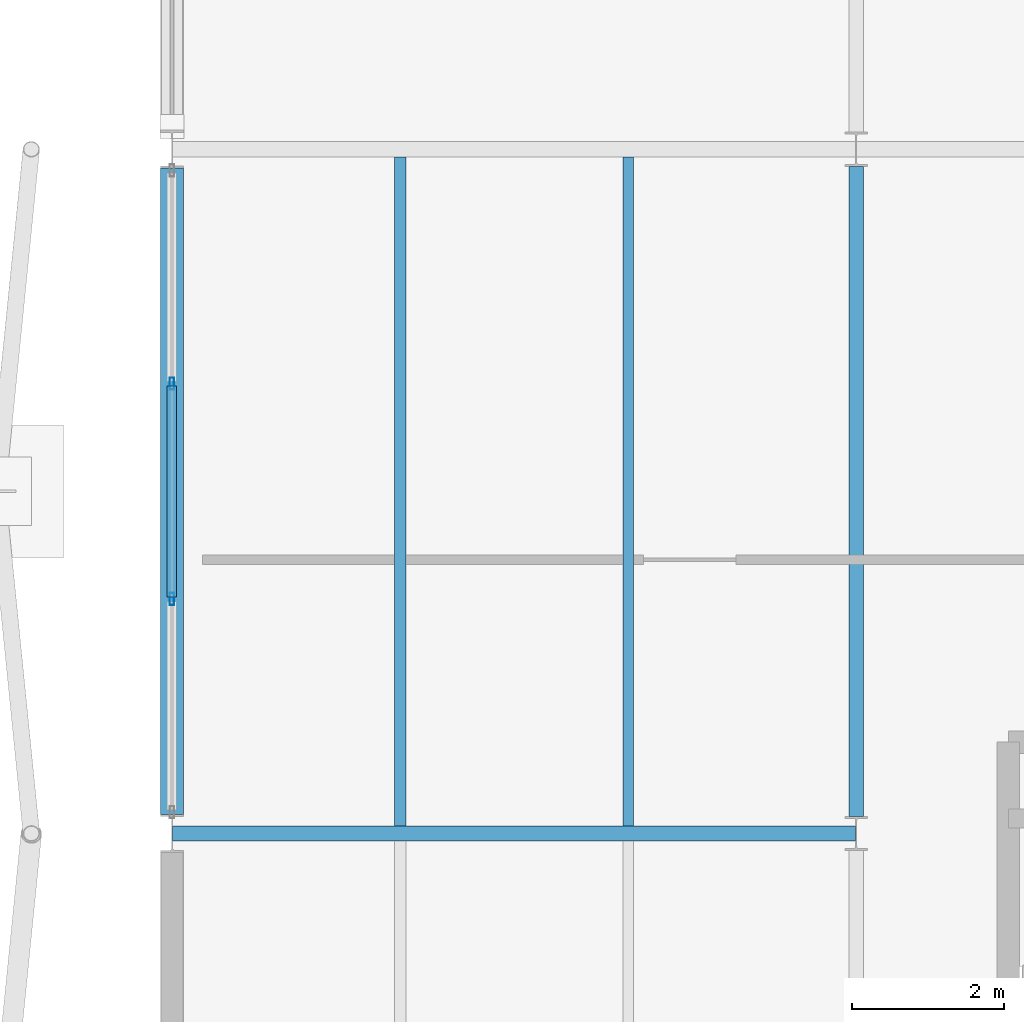
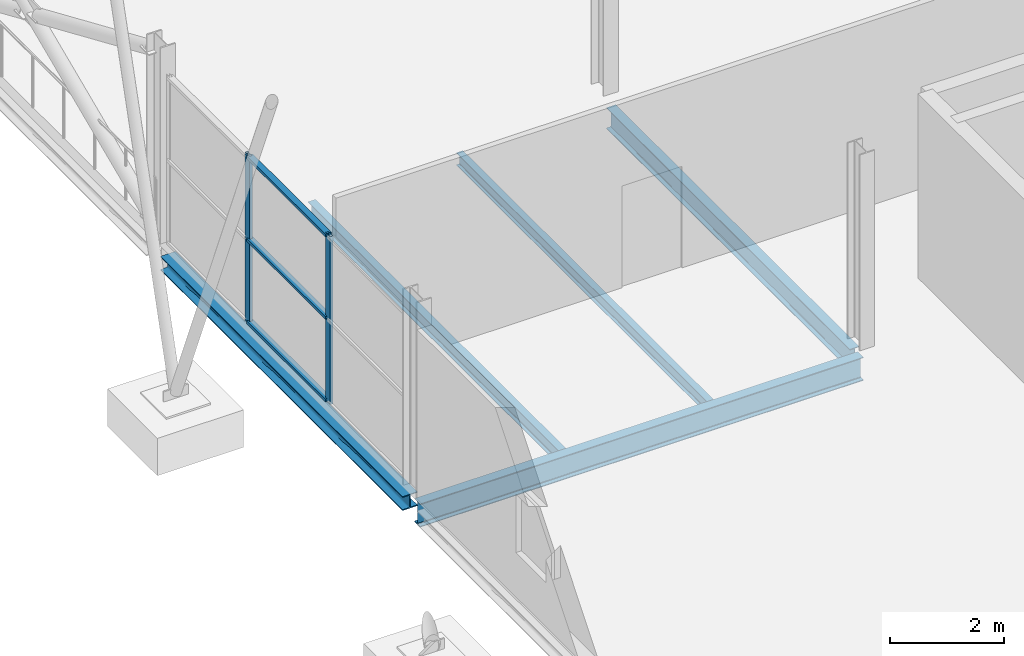
# One storey, part 68 of 140: 5 beams, 5 members, 1 element without a shape of its own.
"""IFC4 building model written with IfcOpenShell, lengths in metres."""

import ifcopenshell
import ifcopenshell.guid

model = None  # the IFC model being written
_history = None  # IfcOwnerHistory: only IFC2X3 demands one
_inside = {}  # id of a spatial element -> (the spatial element, [elements in it])
_under = {}  # id of a project, library or spatial element -> (it, [spatial elements below it])
_declared = {}  # id of a project -> (the project, [libraries it declares])
_typed = {}  # id of a type object -> (the type object, [elements of that type])
_made_of = {}  # id of a material, layer set ... -> (it, [elements and type objects made of it])


def new_model(schema):
    """Start an empty IFC model of exactly this schema.

    Asked for "IFC4X3", IfcOpenShell would pick the latest addendum, in which some entities
    have other attributes; the version numbers below select the first issue.
    IFC2X3 requires an IfcOwnerHistory on every rooted entity: one is made here for all.
    """
    global model, _history
    if schema == "IFC4X3":
        model = ifcopenshell.file(schema_version=(4, 3, 0, 0))
    else:
        model = ifcopenshell.file(schema=schema)
    _inside.clear()
    _under.clear()
    _declared.clear()
    _typed.clear()
    _made_of.clear()
    _history = None
    if model.schema == "IFC2X3":
        org = make("IfcOrganization", Name="unknown")
        user = make(
            "IfcPersonAndOrganization",
            ThePerson=make("IfcPerson", FamilyName="unknown"),
            TheOrganization=org,
        )
        app = make(
            "IfcApplication",
            ApplicationDeveloper=org,
            Version="unknown",
            ApplicationFullName="unknown",
            ApplicationIdentifier="unknown",
        )
        _history = make(
            "IfcOwnerHistory",
            OwningUser=user,
            OwningApplication=app,
            ChangeAction="ADDED",
            CreationDate=0,
        )
    return model


def make(cls, **values):
    """One entity of the class cls with the attributes given. An attribute that is None is left unset."""
    return model.create_entity(
        cls, **{name: value for name, value in values.items() if value is not None}
    )


def rooted(cls, **values):
    """An entity with a GlobalId (a new one), such as an element, a storey or a relation."""
    return make(cls, GlobalId=ifcopenshell.guid.new(), OwnerHistory=_history, **values)


def si_unit(unit_type, name, prefix=None):
    """IfcSIUnit, for example si_unit("LENGTHUNIT", "METRE", prefix="MILLI")."""
    return make("IfcSIUnit", UnitType=unit_type, Prefix=prefix, Name=name)


def assignment(units):
    """IfcUnitAssignment: the units of a project."""
    return None if units is None else make("IfcUnitAssignment", Units=units)


def point(xyz):
    """IfcCartesianPoint."""
    return None if xyz is None else make("IfcCartesianPoint", Coordinates=xyz)


def direction(xyz):
    """IfcDirection."""
    return None if xyz is None else make("IfcDirection", DirectionRatios=xyz)


def frame(location, z_axis=None, x_axis=None):
    """IfcAxis2Placement3D, a coordinate frame: its origin and axes. An axis left out is left unset."""
    return make(
        "IfcAxis2Placement3D",
        Location=point(location),
        Axis=direction(z_axis),
        RefDirection=direction(x_axis),
    )


def frame_2d(location, x_axis=None):
    """IfcAxis2Placement2D, a coordinate frame in the plane: its origin and x axis."""
    return make(
        "IfcAxis2Placement2D", Location=point(location), RefDirection=direction(x_axis)
    )


def origin():
    """The frame at (0, 0, 0) with its axes left unset."""
    return frame((0.0, 0.0, 0.0))


def origin_2d():
    """The frame at (0, 0) in the plane with its x axis left unset."""
    return frame_2d((0.0, 0.0))


def place(relative_to, where):
    """IfcLocalPlacement: puts the frame where relative to a parent placement (None: the world)."""
    return make(
        "IfcLocalPlacement", PlacementRelTo=relative_to, RelativePlacement=where
    )


def context(
    kind, dimensions, precision=None, world=None, true_north=None, identifier=None
):
    """IfcGeometricRepresentationContext, for example the 3D "Model" context."""
    return make(
        "IfcGeometricRepresentationContext",
        ContextIdentifier=identifier,
        ContextType=kind,
        CoordinateSpaceDimension=dimensions,
        Precision=precision,
        WorldCoordinateSystem=world,
        TrueNorth=true_north,
    )


def subcontext(parent, identifier, kind, view, scale=None):
    """IfcGeometricRepresentationSubContext, for example "Body" below "Model"."""
    return make(
        "IfcGeometricRepresentationSubContext",
        ContextIdentifier=identifier,
        ContextType=kind,
        ParentContext=parent,
        TargetScale=scale,
        TargetView=view,
    )


def project(units=None, contexts=None):
    """IfcProject with its units and contexts."""
    return rooted(
        "IfcProject",
        Name="project",
        RepresentationContexts=contexts,
        UnitsInContext=assignment(units),
    )


def spatial(cls, under=None, at=None, **own):
    """A site, building, storey or space (cls), placed at a placement, below another one or the project."""
    s = rooted(cls, ObjectPlacement=at, **own)
    if under is not None:
        _under.setdefault(under.id(), (under, []))[1].append(s)
    return s


def profile(cls, at=None, kind="AREA", **sizes):
    """A parametric profile (cls). Its sizes go by their IFC names, for example OverallWidth=200.0."""
    return make(cls, ProfileType=kind, Position=at, **sizes)


def hollow_rectangle(**sizes):
    """IfcRectangleHollowProfileDef."""
    return profile("IfcRectangleHollowProfileDef", **sizes)


def i_section(**sizes):
    """IfcIShapeProfileDef."""
    return profile("IfcIShapeProfileDef", **sizes)


def extrude(swept, where, along, depth):
    """IfcExtrudedAreaSolid: the profile swept, set in the frame where, extruded along a direction by depth."""
    return make(
        "IfcExtrudedAreaSolid",
        SweptArea=swept,
        Position=where,
        ExtrudedDirection=direction(along),
        Depth=depth,
    )


def shape(context_of_items, identifier, shape_type, items):
    """IfcShapeRepresentation: the items that make up one representation, for example the "Body"."""
    return make(
        "IfcShapeRepresentation",
        ContextOfItems=context_of_items,
        RepresentationIdentifier=identifier,
        RepresentationType=shape_type,
        Items=items,
    )


def material(Name=None, Category=None):
    """IfcMaterial."""
    return make("IfcMaterial", Name=Name, Category=Category)


def layer(
    of_material, thickness, ventilated=None, Name=None, Category=None, Priority=None
):
    """IfcMaterialLayer: one layer of a wall or slab, of a material (None: an air gap)."""
    return make(
        "IfcMaterialLayer",
        Material=of_material,
        LayerThickness=thickness,
        IsVentilated=ventilated,
        Name=Name,
        Category=Category,
        Priority=Priority,
    )


def layer_set(layers, Name=None):
    """IfcMaterialLayerSet."""
    return make("IfcMaterialLayerSet", MaterialLayers=layers, LayerSetName=Name)


def material_profile(
    of_material, cross_section, Name=None, Category=None, Priority=None
):
    """IfcMaterialProfile: a cross section and its material."""
    return make(
        "IfcMaterialProfile",
        Name=Name,
        Material=of_material,
        Profile=cross_section,
        Priority=Priority,
        Category=Category,
    )


def profile_set(profiles, Name=None, composite=None):
    """IfcMaterialProfileSet."""
    return make(
        "IfcMaterialProfileSet",
        Name=Name,
        MaterialProfiles=profiles,
        CompositeProfile=composite,
    )


def made_of(thing, what):
    """Note that an element or type object is made of a material, layer set ...; save() writes the relation."""
    if what is not None:
        _made_of.setdefault(what.id(), (what, []))[1].append(thing)
    return thing


def type_object(cls, material=None, **own):
    """A type object (cls), such as IfcWallType, which elements share."""
    return made_of(rooted(cls, **own), material)


def element(
    cls,
    number,
    at=None,
    inside=None,
    cuts=None,
    type_object=None,
    material=None,
    context=None,
    identifier="Body",
    shape_type=None,
    held_by="IfcProductDefinitionShape",
    body=None,
    shapes=None,
    **own,
):
    """One element of the class cls, such as IfcWall. Its Tag is "e" and its number.

    at: its placement. inside: the storey or other place that contains it. cuts: it is an
    opening in that element (IfcRelVoidsElement). A single representation is given by context,
    identifier, shape_type and body (its items); several are given by shapes. held_by: the class
    of the entity that holds the representations. save() writes the other relations.
    """
    e = rooted(cls, Tag="e%d" % number, ObjectPlacement=at, **own)
    if body is not None:
        shapes = [shape(context, identifier, shape_type, body)]
    if shapes is not None:
        e.Representation = make(held_by, Representations=shapes)
    if inside is not None:
        _inside.setdefault(inside.id(), (inside, []))[1].append(e)
    if cuts is not None:
        rooted(
            "IfcRelVoidsElement", RelatingBuildingElement=cuts, RelatedOpeningElement=e
        )
    if type_object is not None:
        _typed.setdefault(type_object.id(), (type_object, []))[1].append(e)
    return made_of(e, material)


def aggregate(whole, parts):
    """IfcRelAggregates: a whole, such as a stair, and the parts it consists of."""
    return rooted("IfcRelAggregates", RelatingObject=whole, RelatedObjects=parts)


def save(model, path):
    """Write the relations noted so far, then the file.

    IfcRelAggregates (storeys below a building ...), IfcRelContainedInSpatialStructure (elements
    in a storey), IfcRelDefinesByType, IfcRelAssociatesMaterial and IfcRelDeclares: one each for
    every whole, place, type object, material and project.
    """
    for whole, parts in _under.values():
        aggregate(whole, parts)
    for where, things in _inside.values():
        rooted(
            "IfcRelContainedInSpatialStructure",
            RelatedElements=things,
            RelatingStructure=where,
        )
    for kind, things in _typed.values():
        rooted("IfcRelDefinesByType", RelatedObjects=things, RelatingType=kind)
    for what, things in _made_of.values():
        rooted("IfcRelAssociatesMaterial", RelatedObjects=things, RelatingMaterial=what)
    for by, libraries in _declared.values():
        rooted("IfcRelDeclares", RelatingContext=by, RelatedDefinitions=libraries)
    model.write(path)


model = new_model("IFC4")

# Units and contexts
model_context = context("Model", 3, precision=1e-05, world=origin(), true_north=direction((0.0, 1.0)))
body_context = subcontext(model_context, "Body", "Model", "MODEL_VIEW")
ifc_project = project(units=[si_unit("LENGTHUNIT", "METRE"), si_unit("AREAUNIT", "SQUARE_METRE"), si_unit("VOLUMEUNIT", "CUBIC_METRE"), si_unit("PLANEANGLEUNIT", "RADIAN"), si_unit("MASSUNIT", "GRAM", prefix="KILO")], contexts=[model_context])

# Site, building, storey
site_placement = place(None, origin())
site = spatial("IfcSite", under=ifc_project, at=site_placement, CompositionType="ELEMENT")
building_placement = place(site_placement, origin())
building = spatial("IfcBuilding", under=site, at=building_placement, Name="Deido Ridge Mobility Hub", CompositionType="ELEMENT")
storey_placement = place(building_placement, origin())
storey = spatial("IfcBuildingStorey", under=building, at=storey_placement, Name="L00", CompositionType="ELEMENT", Elevation=0.0)

# Beams
ifc_material_1 = material(Name="Steel S355J2 EN 10025-2", Category="steel")
ifc_material_profile_1 = material_profile(ifc_material_1, i_section(OverallWidth=0.18994140625, OverallDepth=0.449951171875, WebThickness=0.009521484375, FlangeThickness=0.0146484375, FilletRadius=0.02099609375, at=origin_2d()), Name="IPE 450")
ifc_profile_set_1 = profile_set([ifc_material_profile_1], Name="Steel S355J2 EN 10025-2")
beam_type_1 = type_object("IfcBeamType", Name="BM-IPE450", PredefinedType="BEAM", material=ifc_profile_set_1)
beam_1_placement = place(storey_placement, frame((9.0, 63.22509765625, -0.485107421875), z_axis=(0.0, 1.0, 0.0), x_axis=(-1.0, 0.0, 0.0)))
element("IfcBeam", 1, at=beam_1_placement, inside=storey, type_object=beam_type_1, Name="Floor beam B4", PredefinedType="BEAM", context=body_context, shape_type="SweptSolid", body=[
    extrude(i_section(OverallWidth=0.18994140625, OverallDepth=0.449951171875, WebThickness=0.009521484375, FlangeThickness=0.0146484375, FilletRadius=0.02099609375, at=origin_2d()), origin(), (0.0, 0.0, 1.0), 8.5498046875),
])
ifc_material_profile_2 = material_profile(ifc_material_1, i_section(OverallWidth=0.199951171875, OverallDepth=0.5, WebThickness=0.01025390625, FlangeThickness=0.01611328125, FilletRadius=0.02099609375, at=origin_2d()), Name="IPE 500")
ifc_profile_set_2 = profile_set([ifc_material_profile_2], Name="Steel S355J2 EN 10025-2")
beam_type_2 = type_object("IfcBeamType", Name="BM-IPE500", PredefinedType="BEAM", material=ifc_profile_set_2)
beam_2_placement = place(storey_placement, frame((0.00732421875, 63.0, -0.510009765625), z_axis=(1.0, 0.0, 0.0), x_axis=(0.0, 1.0, 0.0)))
element("IfcBeam", 2, at=beam_2_placement, inside=storey, type_object=beam_type_2, Name="Floor beam B3", PredefinedType="BEAM", context=body_context, shape_type="SweptSolid", body=[
    extrude(i_section(OverallWidth=0.199951171875, OverallDepth=0.5, WebThickness=0.01025390625, FlangeThickness=0.01611328125, FilletRadius=0.02099609375, at=origin_2d()), origin(), (0.0, 0.0, 1.0), 8.985595703125),
])
ifc_material_profile_3 = material_profile(ifc_material_1, i_section(OverallWidth=0.135009765625, OverallDepth=0.27001953125, WebThickness=0.006591796875, FlangeThickness=0.01025390625, FilletRadius=0.014892578125, at=origin_2d()), Name="IPE 270")
ifc_profile_set_3 = profile_set([ifc_material_profile_3], Name="Steel S355J2 EN 10025-2")
beam_type_3 = type_object("IfcBeamType", Name="JST-IPE270", PredefinedType="JOIST", material=ifc_profile_set_3)
beam_3_placement = place(storey_placement, frame((6.0, 63.10009765625, -0.39501953125), z_axis=(0.0, 1.0, 0.0), x_axis=(-1.0, 0.0, 0.0)))
element("IfcBeam", 3, at=beam_3_placement, inside=storey, type_object=beam_type_3, Name="Composite joist J4", PredefinedType="JOIST", context=body_context, shape_type="SweptSolid", body=[
    extrude(i_section(OverallWidth=0.135009765625, OverallDepth=0.27001953125, WebThickness=0.006591796875, FlangeThickness=0.01025390625, FilletRadius=0.014892578125, at=origin_2d()), origin(), (0.0, 0.0, 1.0), 8.7998046875),
])
ifc_material_profile_4 = material_profile(ifc_material_1, i_section(OverallWidth=0.14990234375, OverallDepth=0.300048828125, WebThickness=0.007080078125, FlangeThickness=0.0107421875, FilletRadius=0.014892578125, at=origin_2d()), Name="IPE 300")
ifc_profile_set_4 = profile_set([ifc_material_profile_4], Name="Steel S355J2 EN 10025-2")
beam_type_4 = type_object("IfcBeamType", Name="JST-IPE300", PredefinedType="JOIST", material=ifc_profile_set_4)
beam_4_placement = place(storey_placement, frame((3.0, 63.10009765625, -0.409912109375), z_axis=(0.0, 1.0, 0.0), x_axis=(-1.0, 0.0, 0.0)))
element("IfcBeam", 4, at=beam_4_placement, inside=storey, type_object=beam_type_4, Name="Composite joist J3", PredefinedType="JOIST", context=body_context, shape_type="SweptSolid", body=[
    extrude(i_section(OverallWidth=0.14990234375, OverallDepth=0.300048828125, WebThickness=0.007080078125, FlangeThickness=0.0107421875, FilletRadius=0.014892578125, at=origin_2d()), origin(), (0.0, 0.0, 1.0), 8.7998046875),
])

# Curtain wall, members
ifc_material_2 = material(Name="Anodised aluminium EN AW-6063 T6", Category="aluminium")
ifc_layer = layer(ifc_material_2, 0.195068359375, Name="Anodised aluminium EN AW-6063 T6")
ifc_layer_set = layer_set([ifc_layer], Name="Anodised aluminium EN AW-6063 T6")
curtain_wall_type = type_object("IfcCurtainWallType", Name="CW-UF-3", PredefinedType="USERDEFINED", material=ifc_layer_set)
curtain_wall_placement = place(storey_placement, origin())
curtain_wall = element("IfcCurtainWall", 5, at=curtain_wall_placement, inside=storey, type_object=curtain_wall_type, Name="Unitised curtain wall CW3", ObjectType="UNITISED FACADE", PredefinedType="USERDEFINED")
ifc_material_profile_5 = material_profile(ifc_material_2, hollow_rectangle(XDim=0.06005859375, YDim=0.159912109375, WallThickness=0.00390625, at=origin_2d()), Name="RHS 60x160x4")
ifc_profile_set_5 = profile_set([ifc_material_profile_5], Name="Anodised aluminium EN AW-6063 T6")
member_type_1 = type_object("IfcMemberType", Name="MEM-MUL-60X160", PredefinedType="MULLION", material=ifc_profile_set_5)
member_1_placement = place(storey_placement, frame((0.0, 66.083251953125, 0.0), z_axis=(0.0, 0.0, 1.0), x_axis=(-1.0, 0.0, 0.0)))
member_1 = element("IfcMember", 6, at=member_1_placement, type_object=member_type_1, Name="CW3 mullion 2", PredefinedType="MULLION", context=body_context, shape_type="SweptSolid", body=[
    extrude(hollow_rectangle(XDim=0.06005859375, YDim=0.159912109375, WallThickness=0.00390625, at=origin_2d()), origin(), (0.0, 0.0, 1.0), 3.60009765625),
])
member_2_placement = place(storey_placement, frame((0.0, 68.916748046875, 0.0), z_axis=(0.0, 0.0, 1.0), x_axis=(-1.0, 0.0, 0.0)))
member_2 = element("IfcMember", 7, at=member_2_placement, type_object=member_type_1, Name="CW3 mullion 3", PredefinedType="MULLION", context=body_context, shape_type="SweptSolid", body=[
    extrude(hollow_rectangle(XDim=0.06005859375, YDim=0.159912109375, WallThickness=0.00390625, at=origin_2d()), origin(), (0.0, 0.0, 1.0), 3.60009765625),
])
ifc_material_profile_6 = material_profile(ifc_material_2, hollow_rectangle(XDim=0.125, YDim=0.06005859375, WallThickness=0.00390625, at=origin_2d()), Name="RHS 125x60x4")
ifc_profile_set_6 = profile_set([ifc_material_profile_6], Name="Anodised aluminium EN AW-6063 T6")
member_type_2 = type_object("IfcMemberType", Name="MEM-TRN-125X60", PredefinedType="USERDEFINED", material=ifc_profile_set_6)
member_3_placement = place(storey_placement, frame((0.0, 66.11328125, 0.030029296875), z_axis=(0.0, 1.0, 0.0), x_axis=(-1.0, 0.0, 0.0)))
member_3 = element("IfcMember", 8, at=member_3_placement, type_object=member_type_2, Name="CW3 transom 2.1", ObjectType="TRANSOM", PredefinedType="USERDEFINED", context=body_context, shape_type="SweptSolid", body=[
    extrude(hollow_rectangle(XDim=0.125, YDim=0.06005859375, WallThickness=0.00390625, at=origin_2d()), origin(), (0.0, 0.0, 1.0), 2.7734375),
])
member_4_placement = place(storey_placement, frame((0.0, 66.11328125, 1.800048828125), z_axis=(0.0, 1.0, 0.0), x_axis=(-1.0, 0.0, 0.0)))
member_4 = element("IfcMember", 9, at=member_4_placement, type_object=member_type_2, Name="CW3 transom 2.2", ObjectType="TRANSOM", PredefinedType="USERDEFINED", context=body_context, shape_type="SweptSolid", body=[
    extrude(hollow_rectangle(XDim=0.125, YDim=0.06005859375, WallThickness=0.00390625, at=origin_2d()), origin(), (0.0, 0.0, 1.0), 2.7734375),
])
member_5_placement = place(storey_placement, frame((0.0, 66.11328125, 3.570068359375), z_axis=(0.0, 1.0, 0.0), x_axis=(-1.0, 0.0, 0.0)))
member_5 = element("IfcMember", 10, at=member_5_placement, type_object=member_type_2, Name="CW3 transom 2.3", ObjectType="TRANSOM", PredefinedType="USERDEFINED", context=body_context, shape_type="SweptSolid", body=[
    extrude(hollow_rectangle(XDim=0.125, YDim=0.06005859375, WallThickness=0.00390625, at=origin_2d()), origin(), (0.0, 0.0, 1.0), 2.7734375),
])
aggregate(curtain_wall, [member_1, member_2, member_3, member_4, member_5])

# Beam
ifc_material_profile_7 = material_profile(ifc_material_1, i_section(OverallWidth=0.300048828125, OverallDepth=0.300048828125, WebThickness=0.010986328125, FlangeThickness=0.01904296875, FilletRadius=0.027099609375, at=origin_2d()), Name="HEB 300")
ifc_profile_set_7 = profile_set([ifc_material_profile_7], Name="Steel S355J2 EN 10025-2")
beam_type_5 = type_object("IfcBeamType", Name="SPD-HEB300", PredefinedType="SPANDREL", material=ifc_profile_set_7)
beam_5_placement = place(storey_placement, frame((0.0, 63.25, -0.409912109375), z_axis=(0.0, 1.0, 0.0), x_axis=(-1.0, 0.0, 0.0)))
element("IfcBeam", 11, at=beam_5_placement, inside=storey, type_object=beam_type_5, Name="Floor beam SP1", PredefinedType="SPANDREL", context=body_context, shape_type="SweptSolid", body=[
    extrude(i_section(OverallWidth=0.300048828125, OverallDepth=0.300048828125, WebThickness=0.010986328125, FlangeThickness=0.01904296875, FilletRadius=0.027099609375, at=origin_2d()), origin(), (0.0, 0.0, 1.0), 8.5),
])

save(model, "model.ifc")
